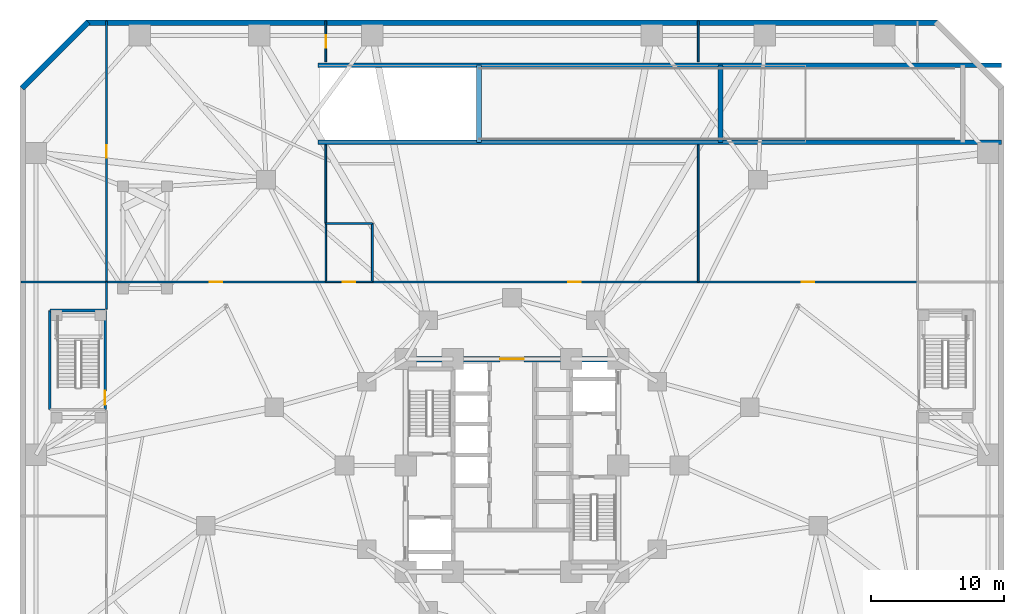
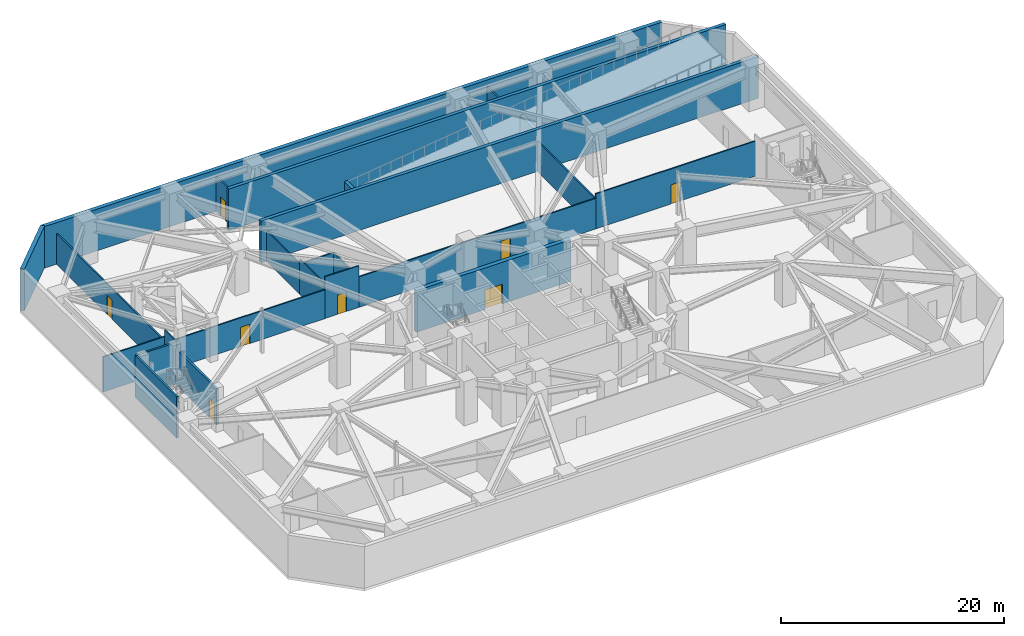
# One storey, part 13 of 18: 24 walls, 8 doors, 8 openings.
"""IFC4 building model written with IfcOpenShell, lengths in metres."""

from ifc_helpers import new_model, si_unit, direction, frame, frame_2d, origin, place, context, subcontext, project, spatial, rectangle, extrude, material, layer, layer_set, type_object, element, fill, save


model = new_model("IFC4")

# Units and contexts
model_context = context("Model", 3, precision=1e-05, world=origin(), true_north=direction((0.0, 1.0)))
body_context = subcontext(model_context, "Body", "Model", "MODEL_VIEW")
ifc_project = project(units=[si_unit("LENGTHUNIT", "METRE"), si_unit("AREAUNIT", "SQUARE_METRE"), si_unit("VOLUMEUNIT", "CUBIC_METRE"), si_unit("PLANEANGLEUNIT", "RADIAN"), si_unit("MASSUNIT", "GRAM", prefix="KILO")], contexts=[model_context])

# Site, building, storey
site_placement = place(None, origin())
site = spatial("IfcSite", under=ifc_project, at=site_placement, CompositionType="ELEMENT")
building_placement = place(site_placement, origin())
building = spatial("IfcBuilding", under=site, at=building_placement, Name="Terralouvre Media Tower", CompositionType="ELEMENT")
storey_placement = place(building_placement, frame((0.0, 0.0, -4.800048828125)))
storey = spatial("IfcBuildingStorey", under=building, at=storey_placement, Name="B01", CompositionType="ELEMENT", Elevation=-4.800048828125)

# Walls
ifc_material_1 = material(Name="Concrete C50/60", Category="concrete")
ifc_layer_1 = layer(ifc_material_1, 0.39990234375, Name="Basement Perimeter Retaining Wall EW-RC400")
ifc_layer_set_1 = layer_set([ifc_layer_1], Name="Concrete C50/60")
wall_type_1 = type_object("IfcWallType", Name="Basement Perimeter Retaining Wall EW-RC400", PredefinedType="USERDEFINED", material=ifc_layer_set_1)
wall_1_placement = place(storey_placement, frame((32.0, 33.300048828125, 0.0), z_axis=(0.0, 0.0, 1.0), x_axis=(-1.0, 0.0, 0.0)))
element("IfcWall", 1, at=wall_1_placement, inside=storey, type_object=wall_type_1, Name="B01 Perimeter Retaining Wall 05", ObjectType="RETAINING", PredefinedType="USERDEFINED", context=body_context, shape_type="SweptSolid", body=[
    extrude(rectangle(XDim=64.0, YDim=0.39990234375, at=frame_2d((32.0, 0.0))), origin(), (0.0, 0.0, 1.0), 4.550048828125),
])
wall_2_placement = place(storey_placement, frame((-31.858642578125, 33.358642578125, 0.0), z_axis=(0.0, 0.0, 1.0), x_axis=(-0.707106781187, -0.707106781187, 0.0)))
element("IfcWall", 2, at=wall_2_placement, inside=storey, type_object=wall_type_1, Name="B01 Perimeter Retaining Wall 06", ObjectType="RETAINING", PredefinedType="USERDEFINED", context=body_context, shape_type="SweptSolid", body=[
    extrude(rectangle(XDim=7.071044921875, YDim=0.39990234375, at=frame_2d((3.53564453125, 0.0))), origin(), (0.0, 0.0, 1.0), 4.550048828125),
])

# Wall, opening, door
ifc_material_2 = material(Name="Concrete C60/75", Category="concrete")
ifc_layer_2 = layer(ifc_material_2, 0.419921875, Name="Core Reinforced Concrete Shear Wall CW-420")
ifc_layer_set_2 = layer_set([ifc_layer_2], Name="Concrete C60/75")
wall_type_2 = type_object("IfcWallType", Name="Core Reinforced Concrete Shear Wall CW-420", PredefinedType="SHEAR", material=ifc_layer_set_2)
wall_3_placement = place(storey_placement, frame((-8.0, 8.0, 0.0), z_axis=(0.0, 0.0, 1.0), x_axis=(1.0, 0.0, 0.0)))
wall_3 = element("IfcWall", 3, at=wall_3_placement, inside=storey, type_object=wall_type_2, Name="B01 N Core Shear Wall", PredefinedType="SHEAR", context=body_context, shape_type="SweptSolid", body=[
    extrude(rectangle(XDim=16.0, YDim=0.419921875, at=frame_2d((8.0, 0.0))), origin(), (0.0, 0.0, 1.0), 4.550048828125),
])
opening_1_placement = place(wall_3_placement, frame((7.10009765625, 0.0, 0.0)))
opening_1 = element("IfcOpeningElement", 4, at=opening_1_placement, cuts=wall_3, Name="Opening FD-03", PredefinedType="OPENING", context=body_context, shape_type="SweptSolid", body=[
    extrude(rectangle(XDim=1.800048828125, YDim=2.14990234375, at=frame_2d((0.89990234375, 1.074951171875))), frame((0.0, 0.219970703125, 0.0), z_axis=(0.0, -1.0, 0.0), x_axis=(1.0, 0.0, 0.0)), (0.0, 0.0, 1.0), 0.43994140625),
])
ifc_material_3 = material(Name="Galvanised steel fire-resisting leaf", Category="steel")
door_type_1 = type_object("IfcDoorType", Name="Corridor Smoke-Control Double Door FD-03", OperationType="DOUBLE_DOOR_SINGLE_SWING", PredefinedType="DOOR", material=ifc_material_3)
door_1_placement = place(opening_1_placement, origin())
door_1 = element("IfcDoor", 5, at=door_1_placement, inside=storey, type_object=door_type_1, Name="B01 Central Lift Lobby Portal Door", OperationType="DOUBLE_DOOR_SINGLE_SWING", OverallHeight=2.14990234375, OverallWidth=1.800048828125, PredefinedType="DOOR", context=body_context, shape_type="SweptSolid", body=[
    extrude(rectangle(XDim=1.800048828125, YDim=2.14990234375, at=frame_2d((0.89990234375, 1.074951171875))), frame((0.0, 0.02490234375, 0.0), z_axis=(0.0, -1.0, 0.0), x_axis=(1.0, 0.0, 0.0)), (0.0, 0.0, 1.0), 0.050048828125),
])
fill(opening_1, door_1)

ifc_material_4 = material(Name="Fire-rated gypsum board drywall partition")
ifc_layer_3 = layer(ifc_material_4, 0.199951171875, Name="Fire-Rated Shaft and Lobby Partition FW-200")
ifc_layer_set_3 = layer_set([ifc_layer_3], Name="Fire-rated gypsum board drywall partition")
wall_type_3 = type_object("IfcWallType", Name="Fire-Rated Shaft and Lobby Partition FW-200", PredefinedType="SOLIDWALL", material=ifc_layer_set_3)
wall_4_placement = place(storey_placement, frame((-30.60009765625, 4.199951171875, 0.0), z_axis=(0.0, 0.0, 1.0), x_axis=(0.0, 1.0, 0.0)))
wall_4 = element("IfcWall", 6, at=wall_4_placement, inside=storey, type_object=wall_type_3, Name="B01 ST03 Stair Shaft Wall E", PredefinedType="SOLIDWALL", context=body_context, shape_type="SweptSolid", body=[
    extrude(rectangle(XDim=7.449951171875, YDim=0.199951171875, at=frame_2d((3.72509765625, 0.0))), origin(), (0.0, 0.0, 1.0), 3.93505859375),
])
opening_2_placement = place(wall_4_placement, frame((0.360107421875, 0.0, 0.0)))
opening_2 = element("IfcOpeningElement", 7, at=opening_2_placement, cuts=wall_4, Name="Opening FD-01-105X215", PredefinedType="OPENING", context=body_context, shape_type="SweptSolid", body=[
    extrude(rectangle(XDim=1.050048828125, YDim=2.14990234375, at=frame_2d((0.52490234375, 1.074951171875))), frame((0.0, 0.10986328125, 0.0), z_axis=(0.0, -1.0, 0.0), x_axis=(1.0, 0.0, 0.0)), (0.0, 0.0, 1.0), 0.219970703125),
])
ifc_material_5 = material(Name="Galvanised steel fire-resisting leaf", Category="steel")
door_type_2 = type_object("IfcDoorType", Name="Stair and Firefighting Lobby Fire Door FD-01 (1050x2150)", OperationType="NOTDEFINED", PredefinedType="DOOR", material=ifc_material_5)
door_2_placement = place(opening_2_placement, origin())
door_2 = element("IfcDoor", 8, at=door_2_placement, inside=storey, type_object=door_type_2, Name="B01 ST03 Pressurised Stair Door", OperationType="SINGLE_SWING_RIGHT", OverallHeight=2.14990234375, OverallWidth=1.050048828125, PredefinedType="DOOR", context=body_context, shape_type="SweptSolid", body=[
    extrude(rectangle(XDim=1.050048828125, YDim=2.14990234375, at=frame_2d((0.52490234375, 1.074951171875))), frame((0.0, 0.02490234375, 0.0), z_axis=(0.0, -1.0, 0.0), x_axis=(1.0, 0.0, 0.0)), (0.0, 0.0, 1.0), 0.050048828125),
])
fill(opening_2, door_2)

# Walls
wall_5_placement = place(storey_placement, frame((-30.60009765625, 11.64990234375, 0.0), z_axis=(0.0, 0.0, 1.0), x_axis=(-1.0, 0.0, 0.0)))
element("IfcWall", 9, at=wall_5_placement, inside=storey, type_object=wall_type_3, Name="B01 ST03 Stair Shaft Wall N", PredefinedType="SOLIDWALL", context=body_context, shape_type="SweptSolid", body=[
    extrude(rectangle(XDim=4.14990234375, YDim=0.199951171875, at=frame_2d((2.074951171875, 0.0))), origin(), (0.0, 0.0, 1.0), 4.550048828125),
])
wall_6_placement = place(storey_placement, frame((-34.75, 11.64990234375, 0.0), z_axis=(0.0, 0.0, 1.0), x_axis=(0.0, -1.0, 0.0)))
element("IfcWall", 10, at=wall_6_placement, inside=storey, type_object=wall_type_3, Name="B01 ST03 Stair Shaft Wall W", PredefinedType="SOLIDWALL", context=body_context, shape_type="SweptSolid", body=[
    extrude(rectangle(XDim=7.449951171875, YDim=0.199951171875, at=frame_2d((3.72509765625, 0.0))), origin(), (0.0, 0.0, 1.0), 4.550048828125),
])

# Wall, opening, door
ifc_material_6 = material(Name="Fire-rated gypsum board drywall partition")
ifc_layer_4 = layer(ifc_material_6, 0.135009765625, Name="Newsroom Acoustic Partition PT-135")
ifc_layer_set_4 = layer_set([ifc_layer_4], Name="Fire-rated gypsum board drywall partition")
wall_type_4 = type_object("IfcWallType", Name="Newsroom Acoustic Partition PT-135", PredefinedType="PARTITIONING", material=ifc_layer_set_4)
wall_7_placement = place(storey_placement, frame((30.5, 13.800048828125, 0.0), z_axis=(0.0, 0.0, 1.0), x_axis=(-1.0, 0.0, 0.0)))
wall_7 = element("IfcWall", 11, at=wall_7_placement, inside=storey, type_object=wall_type_4, Name="B01 Interior Partition 008", PredefinedType="PARTITIONING", context=body_context, shape_type="SweptSolid", body=[
    extrude(rectangle(XDim=16.5, YDim=0.135009765625, at=frame_2d((8.25, 0.0))), origin(), (0.0, 0.0, 1.0), 3.8349609375),
])
opening_3_placement = place(wall_7_placement, frame((7.77490234375, 0.0, 0.0)))
opening_3 = element("IfcOpeningElement", 12, at=opening_3_placement, cuts=wall_7, Name="Opening ID-02-95X210", PredefinedType="OPENING", context=body_context, shape_type="SweptSolid", body=[
    extrude(rectangle(XDim=0.949951171875, YDim=2.10009765625, at=frame_2d((0.47509765625, 1.050048828125))), frame((0.0, 0.077392578125, 0.0), z_axis=(0.0, -1.0, 0.0), x_axis=(1.0, 0.0, 0.0)), (0.0, 0.0, 1.0), 0.155029296875),
])
ifc_material_7 = material(Name="Engineered hardwood acoustic timber leaf", Category="wood")
door_type_3 = type_object("IfcDoorType", Name="Office and Meeting Room Door ID-02 (950x2100)", OperationType="NOTDEFINED", PredefinedType="DOOR", material=ifc_material_7)
door_3_placement = place(opening_3_placement, origin())
door_3 = element("IfcDoor", 13, at=door_3_placement, inside=storey, type_object=door_type_3, Name="B01 B01 Segregated Refuse and Recycling Store Door", OperationType="SINGLE_SWING_RIGHT", OverallHeight=2.10009765625, OverallWidth=0.949951171875, PredefinedType="DOOR", context=body_context, shape_type="SweptSolid", body=[
    extrude(rectangle(XDim=0.949951171875, YDim=2.10009765625, at=frame_2d((0.47509765625, 1.050048828125))), frame((0.0, 0.02490234375, 0.0), z_axis=(0.0, -1.0, 0.0), x_axis=(1.0, 0.0, 0.0)), (0.0, 0.0, 1.0), 0.050048828125),
])
fill(opening_3, door_3)

wall_8_placement = place(storey_placement, frame((14.0, 13.800048828125, 0.0), z_axis=(0.0, 0.0, 1.0), x_axis=(-1.0, 0.0, 0.0)))
wall_8 = element("IfcWall", 14, at=wall_8_placement, inside=storey, type_object=wall_type_4, Name="B01 Interior Partition 009", PredefinedType="PARTITIONING", context=body_context, shape_type="SweptSolid", body=[
    extrude(rectangle(XDim=24.5, YDim=0.135009765625, at=frame_2d((12.25, 0.0))), origin(), (0.0, 0.0, 1.0), 3.3349609375),
])
opening_4_placement = place(wall_8_placement, frame((8.8349609375, 0.0, 0.0)))
opening_4 = element("IfcOpeningElement", 15, at=opening_4_placement, cuts=wall_8, Name="Opening ID-02-95X210", PredefinedType="OPENING", context=body_context, shape_type="SweptSolid", body=[
    extrude(rectangle(XDim=0.949951171875, YDim=2.10009765625, at=frame_2d((0.47509765625, 1.050048828125))), frame((0.0, 0.077392578125, 0.0), z_axis=(0.0, -1.0, 0.0), x_axis=(1.0, 0.0, 0.0)), (0.0, 0.0, 1.0), 0.155029296875),
])
door_4_placement = place(opening_4_placement, origin())
door_4 = element("IfcDoor", 16, at=door_4_placement, inside=storey, type_object=door_type_3, Name="B01 B01 Basement Technical Equipment Store 12 Door", OperationType="SINGLE_SWING_LEFT", OverallHeight=2.10009765625, OverallWidth=0.949951171875, PredefinedType="DOOR", context=body_context, shape_type="SweptSolid", body=[
    extrude(rectangle(XDim=0.949951171875, YDim=2.10009765625, at=frame_2d((0.47509765625, 1.050048828125))), frame((0.0, 0.02490234375, 0.0), z_axis=(0.0, -1.0, 0.0), x_axis=(1.0, 0.0, 0.0)), (0.0, 0.0, 1.0), 0.050048828125),
])
fill(opening_4, door_4)

wall_9_placement = place(storey_placement, frame((-14.0, 13.800048828125, 0.0), z_axis=(0.0, 0.0, 1.0), x_axis=(-1.0, 0.0, 0.0)))
wall_9 = element("IfcWall", 17, at=wall_9_placement, inside=storey, type_object=wall_type_4, Name="B01 Interior Partition 011", PredefinedType="PARTITIONING", context=body_context, shape_type="SweptSolid", body=[
    extrude(rectangle(XDim=16.5, YDim=0.135009765625, at=frame_2d((8.25, 0.0))), origin(), (0.0, 0.0, 1.0), 3.135009765625),
])
opening_5_placement = place(wall_9_placement, frame((7.77490234375, 0.0, 0.0)))
opening_5 = element("IfcOpeningElement", 18, at=opening_5_placement, cuts=wall_9, Name="Opening ID-02-95X210", PredefinedType="OPENING", context=body_context, shape_type="SweptSolid", body=[
    extrude(rectangle(XDim=0.949951171875, YDim=2.10009765625, at=frame_2d((0.47509765625, 1.050048828125))), frame((0.0, 0.077392578125, 0.0), z_axis=(0.0, -1.0, 0.0), x_axis=(1.0, 0.0, 0.0)), (0.0, 0.0, 1.0), 0.155029296875),
])
door_5_placement = place(opening_5_placement, origin())
door_5 = element("IfcDoor", 19, at=door_5_placement, inside=storey, type_object=door_type_3, Name="B01 B01 Staff Secure Bicycle Parking Store Door", OperationType="SINGLE_SWING_LEFT", OverallHeight=2.10009765625, OverallWidth=0.949951171875, PredefinedType="DOOR", context=body_context, shape_type="SweptSolid", body=[
    extrude(rectangle(XDim=0.949951171875, YDim=2.10009765625, at=frame_2d((0.47509765625, 1.050048828125))), frame((0.0, 0.02490234375, 0.0), z_axis=(0.0, -1.0, 0.0), x_axis=(1.0, 0.0, 0.0)), (0.0, 0.0, 1.0), 0.050048828125),
])
fill(opening_5, door_5)

# Walls
wall_10_placement = place(storey_placement, frame((-30.5, 13.800048828125, 0.0), z_axis=(0.0, 0.0, 1.0), x_axis=(0.0, -1.0, 0.0)))
element("IfcWall", 20, at=wall_10_placement, inside=storey, type_object=wall_type_4, Name="B01 Interior Partition 013", PredefinedType="PARTITIONING", context=body_context, shape_type="SweptSolid", body=[
    extrude(rectangle(XDim=2.050048828125, YDim=0.135009765625, at=frame_2d((1.02490234375, 0.0))), origin(), (0.0, 0.0, 1.0), 4.550048828125),
])
wall_11_placement = place(storey_placement, frame((14.0, 24.10009765625, 0.0), z_axis=(0.0, 0.0, 1.0), x_axis=(0.0, -1.0, 0.0)))
element("IfcWall", 21, at=wall_11_placement, inside=storey, type_object=wall_type_4, Name="B01 Interior Partition 025", PredefinedType="PARTITIONING", context=body_context, shape_type="SweptSolid", body=[
    extrude(rectangle(XDim=10.300048828125, YDim=0.135009765625, at=frame_2d((5.14990234375, 0.0))), origin(), (0.0, 0.0, 1.0), 3.3349609375),
])
wall_12_placement = place(storey_placement, frame((14.0, 33.419921875, 0.0), z_axis=(0.0, 0.0, 1.0), x_axis=(0.0, -1.0, 0.0)))
element("IfcWall", 22, at=wall_12_placement, inside=storey, type_object=wall_type_4, Name="B01 Interior Partition 026", PredefinedType="PARTITIONING", context=body_context, shape_type="SweptSolid", body=[
    extrude(rectangle(XDim=3.06982421875, YDim=0.135009765625, at=frame_2d((1.534912109375, 0.0))), origin(), (0.0, 0.0, 1.0), 3.8349609375),
])
wall_13_placement = place(storey_placement, frame((-14.0, 18.199951171875, 0.0), z_axis=(0.0, 0.0, 1.0), x_axis=(1.0, 0.0, 0.0)))
element("IfcWall", 23, at=wall_13_placement, inside=storey, type_object=wall_type_4, Name="B01 Interior Partition 027", PredefinedType="PARTITIONING", context=body_context, shape_type="SweptSolid", body=[
    extrude(rectangle(XDim=3.5, YDim=0.135009765625, at=frame_2d((1.75, 0.0))), origin(), (0.0, 0.0, 1.0), 3.3349609375),
])
wall_14_placement = place(storey_placement, frame((-10.5, 18.199951171875, 0.0), z_axis=(0.0, 0.0, 1.0), x_axis=(0.0, -1.0, 0.0)))
element("IfcWall", 24, at=wall_14_placement, inside=storey, type_object=wall_type_4, Name="B01 Interior Partition 028", PredefinedType="PARTITIONING", context=body_context, shape_type="SweptSolid", body=[
    extrude(rectangle(XDim=4.39990234375, YDim=0.135009765625, at=frame_2d((2.199951171875, 0.0))), origin(), (0.0, 0.0, 1.0), 3.3349609375),
])
wall_15_placement = place(storey_placement, frame((-14.0, 24.10009765625, 0.0), z_axis=(0.0, 0.0, 1.0), x_axis=(0.0, -1.0, 0.0)))
element("IfcWall", 25, at=wall_15_placement, inside=storey, type_object=wall_type_4, Name="B01 Interior Partition 029", PredefinedType="PARTITIONING", context=body_context, shape_type="SweptSolid", body=[
    extrude(rectangle(XDim=5.900146484375, YDim=0.135009765625, at=frame_2d((2.9501953125, 0.0))), origin(), (0.0, 0.0, 1.0), 3.3349609375),
])

# Wall, opening, door
wall_16_placement = place(storey_placement, frame((-14.0, 33.419921875, 0.0), z_axis=(0.0, 0.0, 1.0), x_axis=(0.0, -1.0, 0.0)))
wall_16 = element("IfcWall", 26, at=wall_16_placement, inside=storey, type_object=wall_type_4, Name="B01 Interior Partition 030", PredefinedType="PARTITIONING", context=body_context, shape_type="SweptSolid", body=[
    extrude(rectangle(XDim=3.06982421875, YDim=0.135009765625, at=frame_2d((1.534912109375, 0.0))), origin(), (0.0, 0.0, 1.0), 3.8349609375),
])
opening_6_placement = place(wall_16_placement, frame((1.074951171875, 0.0, 0.0)))
opening_6 = element("IfcOpeningElement", 27, at=opening_6_placement, cuts=wall_16, Name="Opening ID-03-92X210", PredefinedType="OPENING", context=body_context, shape_type="SweptSolid", body=[
    extrude(rectangle(XDim=0.919921875, YDim=2.10009765625, at=frame_2d((0.4599609375, 1.050048828125))), frame((0.0, 0.077392578125, 0.0), z_axis=(0.0, -1.0, 0.0), x_axis=(1.0, 0.0, 0.0)), (0.0, 0.0, 1.0), 0.155029296875),
])
ifc_material_8 = material(Name="Engineered hardwood acoustic timber leaf", Category="wood")
door_type_4 = type_object("IfcDoorType", Name="Accessible Restroom and Suite Door ID-03 (920x2100)", OperationType="NOTDEFINED", PredefinedType="DOOR", material=ifc_material_8)
door_6_placement = place(opening_6_placement, origin())
door_6 = element("IfcDoor", 28, at=door_6_placement, inside=storey, type_object=door_type_4, Name="B01 B01 Basement Technical Equipment Store 14 Door", OperationType="SINGLE_SWING_RIGHT", OverallHeight=2.10009765625, OverallWidth=0.919921875, PredefinedType="DOOR", context=body_context, shape_type="SweptSolid", body=[
    extrude(rectangle(XDim=0.919921875, YDim=2.10009765625, at=frame_2d((0.4599609375, 1.050048828125))), frame((0.0, 0.02490234375, 0.0), z_axis=(0.0, -1.0, 0.0), x_axis=(1.0, 0.0, 0.0)), (0.0, 0.0, 1.0), 0.050048828125),
])
fill(opening_6, door_6)

wall_17_placement = place(storey_placement, frame((-30.5, 33.419921875, 0.0), z_axis=(0.0, 0.0, 1.0), x_axis=(0.0, -1.0, 0.0)))
wall_17 = element("IfcWall", 29, at=wall_17_placement, inside=storey, type_object=wall_type_4, Name="B01 Interior Partition 032", PredefinedType="PARTITIONING", context=body_context, shape_type="SweptSolid", body=[
    extrude(rectangle(XDim=19.619873046875, YDim=0.135009765625, at=frame_2d((9.81005859375, 0.0))), origin(), (0.0, 0.0, 1.0), 3.3349609375),
])
opening_7_placement = place(wall_17_placement, frame((9.35009765625, 0.0, 0.0)))
opening_7 = element("IfcOpeningElement", 30, at=opening_7_placement, cuts=wall_17, Name="Opening ID-03-92X210", PredefinedType="OPENING", context=body_context, shape_type="SweptSolid", body=[
    extrude(rectangle(XDim=0.919921875, YDim=2.10009765625, at=frame_2d((0.4599609375, 1.050048828125))), frame((0.0, 0.077392578125, 0.0), z_axis=(0.0, -1.0, 0.0), x_axis=(1.0, 0.0, 0.0)), (0.0, 0.0, 1.0), 0.155029296875),
])
door_7_placement = place(opening_7_placement, origin())
door_7 = element("IfcDoor", 31, at=door_7_placement, inside=storey, type_object=door_type_4, Name="B01 B01 Staff Secure Bicycle Parking Store Door", OperationType="SINGLE_SWING_LEFT", OverallHeight=2.10009765625, OverallWidth=0.919921875, PredefinedType="DOOR", context=body_context, shape_type="SweptSolid", body=[
    extrude(rectangle(XDim=0.919921875, YDim=2.10009765625, at=frame_2d((0.4599609375, 1.050048828125))), frame((0.0, 0.02490234375, 0.0), z_axis=(0.0, -1.0, 0.0), x_axis=(1.0, 0.0, 0.0)), (0.0, 0.0, 1.0), 0.050048828125),
])
fill(opening_7, door_7)

# Walls
wall_18_placement = place(storey_placement, frame((-36.919921875, 13.800048828125, 0.0), z_axis=(0.0, 0.0, 1.0), x_axis=(1.0, 0.0, 0.0)))
element("IfcWall", 32, at=wall_18_placement, inside=storey, type_object=wall_type_4, Name="B01 Interior Partition 033", PredefinedType="PARTITIONING", context=body_context, shape_type="SweptSolid", body=[
    extrude(rectangle(XDim=6.419921875, YDim=0.135009765625, at=frame_2d((3.2099609375, 0.0))), origin(), (0.0, 0.0, 1.0), 3.8349609375),
])
ifc_material_9 = material(Name="Concrete C50/60", Category="concrete")
ifc_layer_5 = layer(ifc_material_9, 0.35009765625, Name="Ramp Support Shear Wall RW-350")
ifc_layer_set_5 = layer_set([ifc_layer_5], Name="Concrete C50/60")
wall_type_5 = type_object("IfcWallType", Name="Ramp Support Shear Wall RW-350", PredefinedType="SHEAR", material=ifc_layer_set_5)
for number, where, z_axis, x_axis, name in (
    (33, (-14.60009765625, 24.300048828125, 0.0), (0.0, 0.0, 1.0), (1.0, 0.0, 0.0), "B01 Vehicle Ramp South Support Wall"),
    (34, (-14.60009765625, 30.10009765625, 0.0), (0.0, 0.0, 1.0), (1.0, 0.0, 0.0), "B01 Vehicle Ramp North Support Wall"),
):
    element("IfcWall", number, at=place(storey_placement, frame(where, z_axis=z_axis, x_axis=x_axis)), inside=storey, type_object=wall_type_5, Name=name, PredefinedType="SHEAR", context=body_context, shape_type="SweptSolid", body=[
        extrude(rectangle(XDim=51.400146484375, YDim=0.35009765625, at=frame_2d((25.7001953125, 0.0))), origin(), (0.0, 0.0, 1.0), 4.550048828125),
    ])
wall_19_placement = place(storey_placement, frame((-2.47998046875, 24.300048828125, 0.0), z_axis=(0.0, 0.0, 1.0), x_axis=(0.0, 1.0, 0.0)))
element("IfcWall", 35, at=wall_19_placement, inside=storey, type_object=wall_type_5, Name="B01 Vehicle Ramp Foot Bearing Wall", PredefinedType="SHEAR", context=body_context, shape_type="SweptSolid", body=[
    extrude(rectangle(XDim=5.800048828125, YDim=0.35009765625, at=frame_2d((2.89990234375, 0.0))), origin(), (0.0, 0.0, 1.0), 1.199951171875),
])
wall_20_placement = place(storey_placement, frame((15.679931640625, 24.300048828125, 0.0), z_axis=(0.0, 0.0, 1.0), x_axis=(0.0, 1.0, 0.0)))
element("IfcWall", 36, at=wall_20_placement, inside=storey, type_object=wall_type_5, Name="B01 Vehicle Ramp Mid-Span Bearing Wall", PredefinedType="SHEAR", context=body_context, shape_type="SweptSolid", body=[
    extrude(rectangle(XDim=5.800048828125, YDim=0.35009765625, at=frame_2d((2.89990234375, 0.0))), origin(), (0.0, 0.0, 1.0), 2.080078125),
])

# Wall, opening, door
ifc_material_10 = material(Name="Fire-rated gypsum board drywall partition")
ifc_layer_6 = layer(ifc_material_10, 0.114990234375, Name="Restroom and Pantry Partition PT-115")
ifc_layer_set_6 = layer_set([ifc_layer_6], Name="Fire-rated gypsum board drywall partition")
wall_type_6 = type_object("IfcWallType", Name="Restroom and Pantry Partition PT-115", PredefinedType="PARTITIONING", material=ifc_layer_set_6)
wall_21_placement = place(storey_placement, frame((-10.5, 13.800048828125, 0.0), z_axis=(0.0, 0.0, 1.0), x_axis=(-1.0, 0.0, 0.0)))
wall_21 = element("IfcWall", 37, at=wall_21_placement, inside=storey, type_object=wall_type_6, Name="B01 Interior Partition 010", PredefinedType="PARTITIONING", context=body_context, shape_type="SweptSolid", body=[
    extrude(rectangle(XDim=3.5, YDim=0.114990234375, at=frame_2d((1.75, 0.0))), origin(), (0.0, 0.0, 1.0), 4.550048828125),
])
opening_8_placement = place(wall_21_placement, frame((1.2900390625, 0.0, 0.0)))
opening_8 = element("IfcOpeningElement", 38, at=opening_8_placement, cuts=wall_21, Name="Opening ID-03-92X210", PredefinedType="OPENING", context=body_context, shape_type="SweptSolid", body=[
    extrude(rectangle(XDim=0.919921875, YDim=2.10009765625, at=frame_2d((0.4599609375, 1.050048828125))), frame((0.0, 0.0673828125, 0.0), z_axis=(0.0, -1.0, 0.0), x_axis=(1.0, 0.0, 0.0)), (0.0, 0.0, 1.0), 0.135009765625),
])
door_8_placement = place(opening_8_placement, origin())
door_8 = element("IfcDoor", 39, at=door_8_placement, inside=storey, type_object=door_type_4, Name="B01 B01 Basement Accessible Unisex WC Door", OperationType="SINGLE_SWING_RIGHT", OverallHeight=2.10009765625, OverallWidth=0.919921875, PredefinedType="DOOR", context=body_context, shape_type="SweptSolid", body=[
    extrude(rectangle(XDim=0.919921875, YDim=2.10009765625, at=frame_2d((0.4599609375, 1.050048828125))), frame((0.0, 0.02490234375, 0.0), z_axis=(0.0, -1.0, 0.0), x_axis=(1.0, 0.0, 0.0)), (0.0, 0.0, 1.0), 0.050048828125),
])
fill(opening_8, door_8)

# Wall
wall_22_placement = place(storey_placement, frame((-14.0, 18.199951171875, 0.0), z_axis=(0.0, 0.0, 1.0), x_axis=(0.0, -1.0, 0.0)))
element("IfcWall", 40, at=wall_22_placement, inside=storey, type_object=wall_type_6, Name="B01 Interior Partition 031", PredefinedType="PARTITIONING", context=body_context, shape_type="SweptSolid", body=[
    extrude(rectangle(XDim=4.39990234375, YDim=0.114990234375, at=frame_2d((2.199951171875, 0.0))), origin(), (0.0, 0.0, 1.0), 3.8349609375),
])

save(model, "model.ifc")
